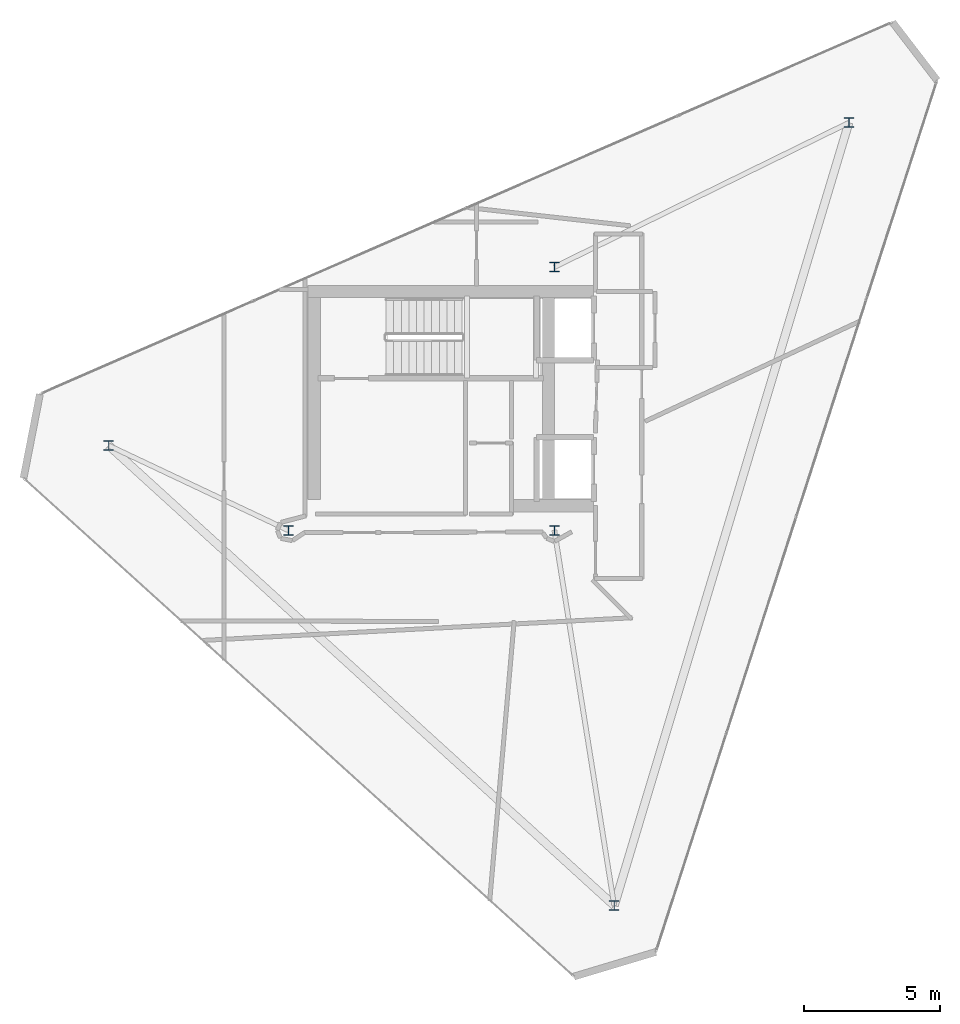
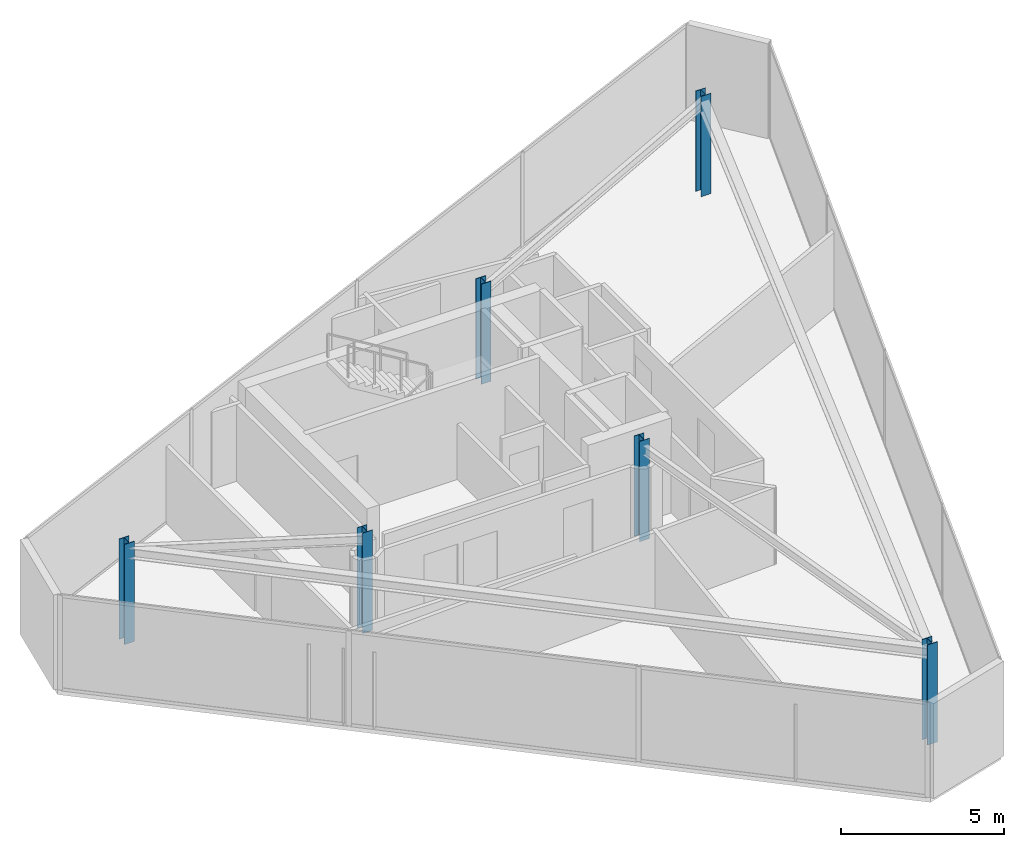
# One storey, part 1 of 15: 6 columns.
"""IFC4 building model written with IfcOpenShell, lengths in metres."""

from ifc_helpers import new_model, si_unit, direction, frame, origin, origin_2d, place, context, subcontext, project, spatial, i_section, extrude, material, material_profile, profile_set, type_object, element, save


model = new_model("IFC4")

# Units and contexts
model_context = context("Model", 3, precision=1e-05, world=origin(), true_north=direction((0.0, 1.0)))
body_context = subcontext(model_context, "Body", "Model", "MODEL_VIEW")
ifc_project = project(units=[si_unit("LENGTHUNIT", "METRE"), si_unit("AREAUNIT", "SQUARE_METRE"), si_unit("VOLUMEUNIT", "CUBIC_METRE"), si_unit("PLANEANGLEUNIT", "RADIAN"), si_unit("MASSUNIT", "GRAM", prefix="KILO")], contexts=[model_context])

# Site, building, storey
site_placement = place(None, origin())
site = spatial("IfcSite", under=ifc_project, at=site_placement, CompositionType="ELEMENT")
building_placement = place(site_placement, origin())
building = spatial("IfcBuilding", under=site, at=building_placement, Name="Qianvela Tower", CompositionType="ELEMENT")
storey_placement = place(building_placement, frame((0.0, 0.0, 360.050048828125)))
storey = spatial("IfcBuildingStorey", under=building, at=storey_placement, Name="L93", CompositionType="ELEMENT", Elevation=360.050048828125)

# Columns
ifc_material = material(Name="Steel Q355B", Category="steel")
ifc_material_profile = material_profile(ifc_material, i_section(OverallWidth=0.35009765625, OverallDepth=0.35009765625, WebThickness=0.011962890625, FlangeThickness=0.01904296875, at=origin_2d()), Name="HW350x350x12x19")
ifc_profile_set = profile_set([ifc_material_profile], Name="Steel Q355B")
column_type = type_object("IfcColumnType", Name="COL-HW-350", PredefinedType="COLUMN", material=ifc_profile_set)
for number, where, z_axis, x_axis, name in (
    (1, (28.60009765625, 23.85009765625, 0.0), (0.0, 0.0, 1.0), (1.0, 0.0, 0.0), "L93 Core Corner Mega-Column CC-SW"),
    (2, (38.39990234375, 33.550048828125, 0.0), (0.0, 0.0, 1.0), (1.0, 0.0, 0.0), "L93 Core Corner Mega-Column CC-NE"),
    (3, (38.39990234375, 23.85009765625, 0.0), (0.0, 0.0, 1.0), (1.0, 0.0, 0.0), "L93 Core Corner Mega-Column CC-SE"),
    (4, (49.248046875, 38.866943359375, 0.0), (0.0, 0.0, 1.0), (1.0, 0.0, 0.0), "L93 Crown Frame Column CR1"),
    (5, (40.60400390625, 10.027099609375, 0.0), (0.0, 0.0, 1.0), (1.0, 0.0, 0.0), "L93 Crown Frame Column CR2"),
    (6, (21.98095703125, 26.97607421875, 0.0), (0.0, 0.0, 1.0), (1.0, 0.0, 0.0), "L93 Crown Frame Column CR3"),
):
    element("IfcColumn", number, at=place(storey_placement, frame(where, z_axis=z_axis, x_axis=x_axis)), inside=storey, type_object=column_type, Name=name, PredefinedType="COLUMN", context=body_context, shape_type="SweptSolid", body=[
        extrude(i_section(OverallWidth=0.35009765625, OverallDepth=0.35009765625, WebThickness=0.011962890625, FlangeThickness=0.01904296875, at=origin_2d()), origin(), (0.0, 0.0, 1.0), 3.75),
    ])

save(model, "model.ifc")
